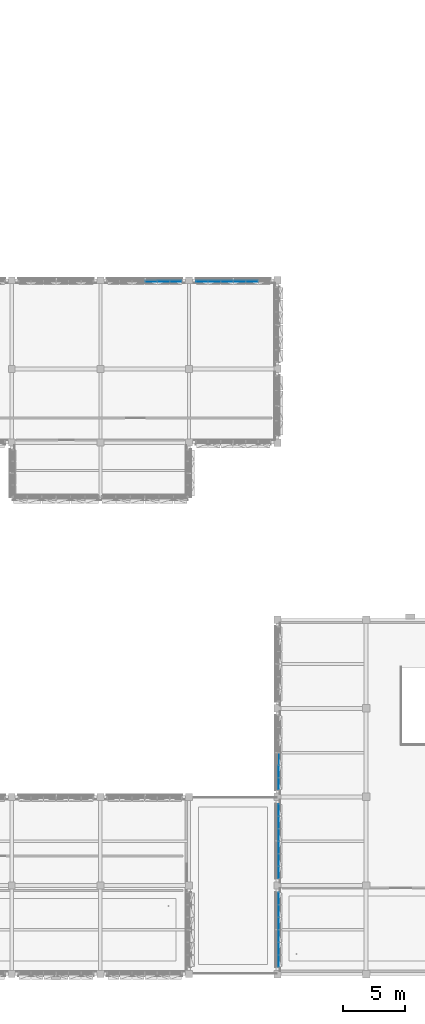
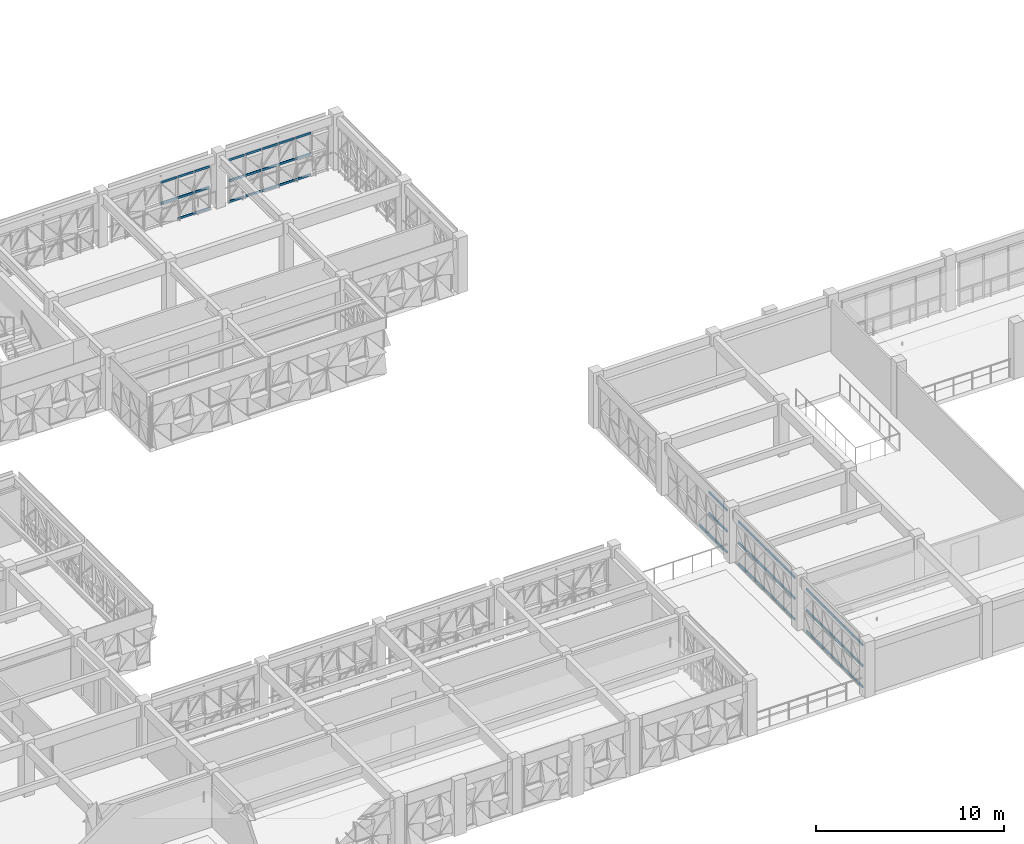
# One storey, part 27 of 85: 66 members, 5 elements without a shape of their own.
"""IFC4 building model written with IfcOpenShell, lengths in metres."""

from ifc_helpers import new_model, si_unit, direction, frame, origin, origin_2d, place, context, subcontext, project, spatial, rectangle, extrude, material, material_profile, profile_set, type_object, element, aggregate, save


model = new_model("IFC4")

# Units and contexts
model_context = context("Model", 3, precision=1e-05, world=origin(), true_north=direction((0.0, 1.0)))
body_context = subcontext(model_context, "Body", "Model", "MODEL_VIEW")
ifc_project = project(units=[si_unit("LENGTHUNIT", "METRE"), si_unit("AREAUNIT", "SQUARE_METRE"), si_unit("VOLUMEUNIT", "CUBIC_METRE"), si_unit("PLANEANGLEUNIT", "RADIAN"), si_unit("MASSUNIT", "GRAM", prefix="KILO")], contexts=[model_context])

# Site, building, storey
site_placement = place(None, origin())
site = spatial("IfcSite", under=ifc_project, at=site_placement, CompositionType="ELEMENT")
building_placement = place(site_placement, origin())
building = spatial("IfcBuilding", under=site, at=building_placement, Name="Alvorim Cloister Faculty of Sciences", CompositionType="ELEMENT")
storey_placement = place(building_placement, frame((0.0, 0.0, 8.550048828125)))
storey = spatial("IfcBuildingStorey", under=building, at=storey_placement, Name="L02", CompositionType="ELEMENT", Elevation=8.550048828125)

# Curtain wall, members
ifc_material_1 = material(Name="Aluminium and Low-E Glass Curtain Wall", Category="aluminium")
curtain_wall_type = type_object("IfcCurtainWallType", Name="CW-TRI-6120x2850", PredefinedType="USERDEFINED", material=ifc_material_1)
curtain_wall_1_placement = place(storey_placement, origin())
curtain_wall_1 = element("IfcCurtainWall", 1, at=curtain_wall_1_placement, inside=storey, type_object=curtain_wall_type, Name="L02 Diagonal Cassette Curtain Wall CW-0059", ObjectType="UNITISED CURTAIN WALL", PredefinedType="USERDEFINED")
ifc_material_2 = material(Name="Aluminium Alloy 6063-T6", Category="aluminium")
ifc_material_profile = material_profile(ifc_material_2, rectangle(XDim=0.06494140625, YDim=0.139892578125, at=origin_2d()), Name="ALU-TRN-65x140")
ifc_profile_set = profile_set([ifc_material_profile], Name="Aluminium Alloy 6063-T6")
member_type = type_object("IfcMemberType", Name="CW-TRN-65x140", PredefinedType="USERDEFINED", material=ifc_profile_set)
member_1_placement = place(storey_placement, frame((54.032470703125, 56.31005859375, 1.425048828125), z_axis=(1.0, 0.0, 0.0), x_axis=(0.0, 1.0, 0.0)))
member_1 = element("IfcMember", 2, at=member_1_placement, type_object=member_type, Name="CW-0059 Transom 4.2", ObjectType="TRANSOM", PredefinedType="USERDEFINED", context=body_context, shape_type="SweptSolid", body=[
    extrude(rectangle(XDim=0.06494140625, YDim=0.139892578125, at=origin_2d()), origin(), (0.0, 0.0, 1.0), 0.955078125),
])
member_2_placement = place(storey_placement, frame((54.032470703125, 56.31005859375, 2.780029296875), z_axis=(1.0, 0.0, 0.0), x_axis=(0.0, 1.0, 0.0)))
member_2 = element("IfcMember", 3, at=member_2_placement, type_object=member_type, Name="CW-0059 Transom 4.3", ObjectType="TRANSOM", PredefinedType="USERDEFINED", context=body_context, shape_type="SweptSolid", body=[
    extrude(rectangle(XDim=0.06494140625, YDim=0.139892578125, at=origin_2d()), origin(), (0.0, 0.0, 1.0), 0.955078125),
])
member_3_placement = place(storey_placement, frame((55.052490234375, 56.31005859375, 0.070068359375), z_axis=(1.0, 0.0, 0.0), x_axis=(0.0, 1.0, 0.0)))
member_3 = element("IfcMember", 4, at=member_3_placement, type_object=member_type, Name="CW-0059 Transom 5.1", ObjectType="TRANSOM", PredefinedType="USERDEFINED", context=body_context, shape_type="SweptSolid", body=[
    extrude(rectangle(XDim=0.06494140625, YDim=0.139892578125, at=origin_2d()), origin(), (0.0, 0.0, 1.0), 0.955078125),
])
member_4_placement = place(storey_placement, frame((55.052490234375, 56.31005859375, 1.425048828125), z_axis=(1.0, 0.0, 0.0), x_axis=(0.0, 1.0, 0.0)))
member_4 = element("IfcMember", 5, at=member_4_placement, type_object=member_type, Name="CW-0059 Transom 5.2", ObjectType="TRANSOM", PredefinedType="USERDEFINED", context=body_context, shape_type="SweptSolid", body=[
    extrude(rectangle(XDim=0.06494140625, YDim=0.139892578125, at=origin_2d()), origin(), (0.0, 0.0, 1.0), 0.955078125),
])
member_5_placement = place(storey_placement, frame((55.052490234375, 56.31005859375, 2.780029296875), z_axis=(1.0, 0.0, 0.0), x_axis=(0.0, 1.0, 0.0)))
member_5 = element("IfcMember", 6, at=member_5_placement, type_object=member_type, Name="CW-0059 Transom 5.3", ObjectType="TRANSOM", PredefinedType="USERDEFINED", context=body_context, shape_type="SweptSolid", body=[
    extrude(rectangle(XDim=0.06494140625, YDim=0.139892578125, at=origin_2d()), origin(), (0.0, 0.0, 1.0), 0.955078125),
])
member_6_placement = place(storey_placement, frame((56.072509765625, 56.31005859375, 0.070068359375), z_axis=(1.0, 0.0, 0.0), x_axis=(0.0, 1.0, 0.0)))
member_6 = element("IfcMember", 7, at=member_6_placement, type_object=member_type, Name="CW-0059 Transom 6.1", ObjectType="TRANSOM", PredefinedType="USERDEFINED", context=body_context, shape_type="SweptSolid", body=[
    extrude(rectangle(XDim=0.06494140625, YDim=0.139892578125, at=origin_2d()), origin(), (0.0, 0.0, 1.0), 0.922607421875),
])
member_7_placement = place(storey_placement, frame((56.072509765625, 56.31005859375, 1.425048828125), z_axis=(1.0, 0.0, 0.0), x_axis=(0.0, 1.0, 0.0)))
member_7 = element("IfcMember", 8, at=member_7_placement, type_object=member_type, Name="CW-0059 Transom 6.2", ObjectType="TRANSOM", PredefinedType="USERDEFINED", context=body_context, shape_type="SweptSolid", body=[
    extrude(rectangle(XDim=0.06494140625, YDim=0.139892578125, at=origin_2d()), origin(), (0.0, 0.0, 1.0), 0.922607421875),
])
member_8_placement = place(storey_placement, frame((56.072509765625, 56.31005859375, 2.780029296875), z_axis=(1.0, 0.0, 0.0), x_axis=(0.0, 1.0, 0.0)))
member_8 = element("IfcMember", 9, at=member_8_placement, type_object=member_type, Name="CW-0059 Transom 6.3", ObjectType="TRANSOM", PredefinedType="USERDEFINED", context=body_context, shape_type="SweptSolid", body=[
    extrude(rectangle(XDim=0.06494140625, YDim=0.139892578125, at=origin_2d()), origin(), (0.0, 0.0, 1.0), 0.922607421875),
])
aggregate(curtain_wall_1, [member_1, member_2, member_3, member_4, member_5, member_6, member_7, member_8])

curtain_wall_2_placement = place(storey_placement, origin())
curtain_wall_2 = element("IfcCurtainWall", 10, at=curtain_wall_2_placement, inside=storey, type_object=curtain_wall_type, Name="L02 Diagonal Cassette Curtain Wall CW-0060", ObjectType="UNITISED CURTAIN WALL", PredefinedType="USERDEFINED")
member_9_placement = place(storey_placement, frame((58.205078125, 56.31005859375, 0.070068359375), z_axis=(1.0, 0.0, 0.0), x_axis=(0.0, 1.0, 0.0)))
member_9 = element("IfcMember", 11, at=member_9_placement, type_object=member_type, Name="CW-0060 Transom 1.1", ObjectType="TRANSOM", PredefinedType="USERDEFINED", context=body_context, shape_type="SweptSolid", body=[
    extrude(rectangle(XDim=0.06494140625, YDim=0.139892578125, at=origin_2d()), origin(), (0.0, 0.0, 1.0), 0.92236328125),
])
member_10_placement = place(storey_placement, frame((58.205078125, 56.31005859375, 1.425048828125), z_axis=(1.0, 0.0, 0.0), x_axis=(0.0, 1.0, 0.0)))
member_10 = element("IfcMember", 12, at=member_10_placement, type_object=member_type, Name="CW-0060 Transom 1.2", ObjectType="TRANSOM", PredefinedType="USERDEFINED", context=body_context, shape_type="SweptSolid", body=[
    extrude(rectangle(XDim=0.06494140625, YDim=0.139892578125, at=origin_2d()), origin(), (0.0, 0.0, 1.0), 0.92236328125),
])
member_11_placement = place(storey_placement, frame((58.205078125, 56.31005859375, 2.780029296875), z_axis=(1.0, 0.0, 0.0), x_axis=(0.0, 1.0, 0.0)))
member_11 = element("IfcMember", 13, at=member_11_placement, type_object=member_type, Name="CW-0060 Transom 1.3", ObjectType="TRANSOM", PredefinedType="USERDEFINED", context=body_context, shape_type="SweptSolid", body=[
    extrude(rectangle(XDim=0.06494140625, YDim=0.139892578125, at=origin_2d()), origin(), (0.0, 0.0, 1.0), 0.92236328125),
])
member_12_placement = place(storey_placement, frame((59.1923828125, 56.31005859375, 0.070068359375), z_axis=(1.0, 0.0, 0.0), x_axis=(0.0, 1.0, 0.0)))
member_12 = element("IfcMember", 14, at=member_12_placement, type_object=member_type, Name="CW-0060 Transom 2.1", ObjectType="TRANSOM", PredefinedType="USERDEFINED", context=body_context, shape_type="SweptSolid", body=[
    extrude(rectangle(XDim=0.06494140625, YDim=0.139892578125, at=origin_2d()), origin(), (0.0, 0.0, 1.0), 0.955078125),
])
member_13_placement = place(storey_placement, frame((59.1923828125, 56.31005859375, 1.425048828125), z_axis=(1.0, 0.0, 0.0), x_axis=(0.0, 1.0, 0.0)))
member_13 = element("IfcMember", 15, at=member_13_placement, type_object=member_type, Name="CW-0060 Transom 2.2", ObjectType="TRANSOM", PredefinedType="USERDEFINED", context=body_context, shape_type="SweptSolid", body=[
    extrude(rectangle(XDim=0.06494140625, YDim=0.139892578125, at=origin_2d()), origin(), (0.0, 0.0, 1.0), 0.955078125),
])
member_14_placement = place(storey_placement, frame((59.1923828125, 56.31005859375, 2.780029296875), z_axis=(1.0, 0.0, 0.0), x_axis=(0.0, 1.0, 0.0)))
member_14 = element("IfcMember", 16, at=member_14_placement, type_object=member_type, Name="CW-0060 Transom 2.3", ObjectType="TRANSOM", PredefinedType="USERDEFINED", context=body_context, shape_type="SweptSolid", body=[
    extrude(rectangle(XDim=0.06494140625, YDim=0.139892578125, at=origin_2d()), origin(), (0.0, 0.0, 1.0), 0.955078125),
])
member_15_placement = place(storey_placement, frame((60.21240234375, 56.31005859375, 0.070068359375), z_axis=(1.0, 0.0, 0.0), x_axis=(0.0, 1.0, 0.0)))
member_15 = element("IfcMember", 17, at=member_15_placement, type_object=member_type, Name="CW-0060 Transom 3.1", ObjectType="TRANSOM", PredefinedType="USERDEFINED", context=body_context, shape_type="SweptSolid", body=[
    extrude(rectangle(XDim=0.06494140625, YDim=0.139892578125, at=origin_2d()), origin(), (0.0, 0.0, 1.0), 0.955078125),
])
member_16_placement = place(storey_placement, frame((60.21240234375, 56.31005859375, 1.425048828125), z_axis=(1.0, 0.0, 0.0), x_axis=(0.0, 1.0, 0.0)))
member_16 = element("IfcMember", 18, at=member_16_placement, type_object=member_type, Name="CW-0060 Transom 3.2", ObjectType="TRANSOM", PredefinedType="USERDEFINED", context=body_context, shape_type="SweptSolid", body=[
    extrude(rectangle(XDim=0.06494140625, YDim=0.139892578125, at=origin_2d()), origin(), (0.0, 0.0, 1.0), 0.955078125),
])
member_17_placement = place(storey_placement, frame((60.21240234375, 56.31005859375, 2.780029296875), z_axis=(1.0, 0.0, 0.0), x_axis=(0.0, 1.0, 0.0)))
member_17 = element("IfcMember", 19, at=member_17_placement, type_object=member_type, Name="CW-0060 Transom 3.3", ObjectType="TRANSOM", PredefinedType="USERDEFINED", context=body_context, shape_type="SweptSolid", body=[
    extrude(rectangle(XDim=0.06494140625, YDim=0.139892578125, at=origin_2d()), origin(), (0.0, 0.0, 1.0), 0.955078125),
])
member_18_placement = place(storey_placement, frame((61.232421875, 56.31005859375, 0.070068359375), z_axis=(1.0, 0.0, 0.0), x_axis=(0.0, 1.0, 0.0)))
member_18 = element("IfcMember", 20, at=member_18_placement, type_object=member_type, Name="CW-0060 Transom 4.1", ObjectType="TRANSOM", PredefinedType="USERDEFINED", context=body_context, shape_type="SweptSolid", body=[
    extrude(rectangle(XDim=0.06494140625, YDim=0.139892578125, at=origin_2d()), origin(), (0.0, 0.0, 1.0), 0.955078125),
])
member_19_placement = place(storey_placement, frame((61.232421875, 56.31005859375, 1.425048828125), z_axis=(1.0, 0.0, 0.0), x_axis=(0.0, 1.0, 0.0)))
member_19 = element("IfcMember", 21, at=member_19_placement, type_object=member_type, Name="CW-0060 Transom 4.2", ObjectType="TRANSOM", PredefinedType="USERDEFINED", context=body_context, shape_type="SweptSolid", body=[
    extrude(rectangle(XDim=0.06494140625, YDim=0.139892578125, at=origin_2d()), origin(), (0.0, 0.0, 1.0), 0.955078125),
])
member_20_placement = place(storey_placement, frame((61.232421875, 56.31005859375, 2.780029296875), z_axis=(1.0, 0.0, 0.0), x_axis=(0.0, 1.0, 0.0)))
member_20 = element("IfcMember", 22, at=member_20_placement, type_object=member_type, Name="CW-0060 Transom 4.3", ObjectType="TRANSOM", PredefinedType="USERDEFINED", context=body_context, shape_type="SweptSolid", body=[
    extrude(rectangle(XDim=0.06494140625, YDim=0.139892578125, at=origin_2d()), origin(), (0.0, 0.0, 1.0), 0.955078125),
])
member_21_placement = place(storey_placement, frame((62.25244140625, 56.31005859375, 0.070068359375), z_axis=(1.0, 0.0, 0.0), x_axis=(0.0, 1.0, 0.0)))
member_21 = element("IfcMember", 23, at=member_21_placement, type_object=member_type, Name="CW-0060 Transom 5.1", ObjectType="TRANSOM", PredefinedType="USERDEFINED", context=body_context, shape_type="SweptSolid", body=[
    extrude(rectangle(XDim=0.06494140625, YDim=0.139892578125, at=origin_2d()), origin(), (0.0, 0.0, 1.0), 0.955078125),
])
member_22_placement = place(storey_placement, frame((62.25244140625, 56.31005859375, 1.425048828125), z_axis=(1.0, 0.0, 0.0), x_axis=(0.0, 1.0, 0.0)))
member_22 = element("IfcMember", 24, at=member_22_placement, type_object=member_type, Name="CW-0060 Transom 5.2", ObjectType="TRANSOM", PredefinedType="USERDEFINED", context=body_context, shape_type="SweptSolid", body=[
    extrude(rectangle(XDim=0.06494140625, YDim=0.139892578125, at=origin_2d()), origin(), (0.0, 0.0, 1.0), 0.955078125),
])
member_23_placement = place(storey_placement, frame((62.25244140625, 56.31005859375, 2.780029296875), z_axis=(1.0, 0.0, 0.0), x_axis=(0.0, 1.0, 0.0)))
member_23 = element("IfcMember", 25, at=member_23_placement, type_object=member_type, Name="CW-0060 Transom 5.3", ObjectType="TRANSOM", PredefinedType="USERDEFINED", context=body_context, shape_type="SweptSolid", body=[
    extrude(rectangle(XDim=0.06494140625, YDim=0.139892578125, at=origin_2d()), origin(), (0.0, 0.0, 1.0), 0.955078125),
])
aggregate(curtain_wall_2, [member_9, member_10, member_11, member_12, member_13, member_14, member_15, member_16, member_17, member_18, member_19, member_20, member_21, member_22, member_23])

curtain_wall_3_placement = place(storey_placement, origin())
curtain_wall_3 = element("IfcCurtainWall", 26, at=curtain_wall_3_placement, inside=storey, type_object=curtain_wall_type, Name="L02 Diagonal Cassette Curtain Wall CW-0093", ObjectType="UNITISED CURTAIN WALL", PredefinedType="USERDEFINED")
member_24_placement = place(storey_placement, frame((64.889892578125, 0.60498046875, 0.070068359375), z_axis=(0.0, 1.0, 0.0), x_axis=(-1.0, 0.0, 0.0)))
member_24 = element("IfcMember", 27, at=member_24_placement, type_object=member_type, Name="CW-0093 Transom 1.1", ObjectType="TRANSOM", PredefinedType="USERDEFINED", context=body_context, shape_type="SweptSolid", body=[
    extrude(rectangle(XDim=0.06494140625, YDim=0.139892578125, at=origin_2d()), origin(), (0.0, 0.0, 1.0), 0.922607421875),
])
member_25_placement = place(storey_placement, frame((64.889892578125, 0.60498046875, 1.425048828125), z_axis=(0.0, 1.0, 0.0), x_axis=(-1.0, 0.0, 0.0)))
member_25 = element("IfcMember", 28, at=member_25_placement, type_object=member_type, Name="CW-0093 Transom 1.2", ObjectType="TRANSOM", PredefinedType="USERDEFINED", context=body_context, shape_type="SweptSolid", body=[
    extrude(rectangle(XDim=0.06494140625, YDim=0.139892578125, at=origin_2d()), origin(), (0.0, 0.0, 1.0), 0.922607421875),
])
member_26_placement = place(storey_placement, frame((64.889892578125, 0.60498046875, 2.780029296875), z_axis=(0.0, 1.0, 0.0), x_axis=(-1.0, 0.0, 0.0)))
member_26 = element("IfcMember", 29, at=member_26_placement, type_object=member_type, Name="CW-0093 Transom 1.3", ObjectType="TRANSOM", PredefinedType="USERDEFINED", context=body_context, shape_type="SweptSolid", body=[
    extrude(rectangle(XDim=0.06494140625, YDim=0.139892578125, at=origin_2d()), origin(), (0.0, 0.0, 1.0), 0.922607421875),
])
member_27_placement = place(storey_placement, frame((64.889892578125, 1.592529296875, 0.070068359375), z_axis=(0.0, 1.0, 0.0), x_axis=(-1.0, 0.0, 0.0)))
member_27 = element("IfcMember", 30, at=member_27_placement, type_object=member_type, Name="CW-0093 Transom 2.1", ObjectType="TRANSOM", PredefinedType="USERDEFINED", context=body_context, shape_type="SweptSolid", body=[
    extrude(rectangle(XDim=0.06494140625, YDim=0.139892578125, at=origin_2d()), origin(), (0.0, 0.0, 1.0), 0.955078125),
])
member_28_placement = place(storey_placement, frame((64.889892578125, 1.592529296875, 1.425048828125), z_axis=(0.0, 1.0, 0.0), x_axis=(-1.0, 0.0, 0.0)))
member_28 = element("IfcMember", 31, at=member_28_placement, type_object=member_type, Name="CW-0093 Transom 2.2", ObjectType="TRANSOM", PredefinedType="USERDEFINED", context=body_context, shape_type="SweptSolid", body=[
    extrude(rectangle(XDim=0.06494140625, YDim=0.139892578125, at=origin_2d()), origin(), (0.0, 0.0, 1.0), 0.955078125),
])
member_29_placement = place(storey_placement, frame((64.889892578125, 1.592529296875, 2.780029296875), z_axis=(0.0, 1.0, 0.0), x_axis=(-1.0, 0.0, 0.0)))
member_29 = element("IfcMember", 32, at=member_29_placement, type_object=member_type, Name="CW-0093 Transom 2.3", ObjectType="TRANSOM", PredefinedType="USERDEFINED", context=body_context, shape_type="SweptSolid", body=[
    extrude(rectangle(XDim=0.06494140625, YDim=0.139892578125, at=origin_2d()), origin(), (0.0, 0.0, 1.0), 0.955078125),
])
member_30_placement = place(storey_placement, frame((64.889892578125, 2.612548828125, 0.070068359375), z_axis=(0.0, 1.0, 0.0), x_axis=(-1.0, 0.0, 0.0)))
member_30 = element("IfcMember", 33, at=member_30_placement, type_object=member_type, Name="CW-0093 Transom 3.1", ObjectType="TRANSOM", PredefinedType="USERDEFINED", context=body_context, shape_type="SweptSolid", body=[
    extrude(rectangle(XDim=0.06494140625, YDim=0.139892578125, at=origin_2d()), origin(), (0.0, 0.0, 1.0), 0.954833984375),
])
member_31_placement = place(storey_placement, frame((64.889892578125, 2.612548828125, 1.425048828125), z_axis=(0.0, 1.0, 0.0), x_axis=(-1.0, 0.0, 0.0)))
member_31 = element("IfcMember", 34, at=member_31_placement, type_object=member_type, Name="CW-0093 Transom 3.2", ObjectType="TRANSOM", PredefinedType="USERDEFINED", context=body_context, shape_type="SweptSolid", body=[
    extrude(rectangle(XDim=0.06494140625, YDim=0.139892578125, at=origin_2d()), origin(), (0.0, 0.0, 1.0), 0.954833984375),
])
member_32_placement = place(storey_placement, frame((64.889892578125, 2.612548828125, 2.780029296875), z_axis=(0.0, 1.0, 0.0), x_axis=(-1.0, 0.0, 0.0)))
member_32 = element("IfcMember", 35, at=member_32_placement, type_object=member_type, Name="CW-0093 Transom 3.3", ObjectType="TRANSOM", PredefinedType="USERDEFINED", context=body_context, shape_type="SweptSolid", body=[
    extrude(rectangle(XDim=0.06494140625, YDim=0.139892578125, at=origin_2d()), origin(), (0.0, 0.0, 1.0), 0.954833984375),
])
member_33_placement = place(storey_placement, frame((64.889892578125, 3.632568359375, 0.070068359375), z_axis=(0.0, 1.0, 0.0), x_axis=(-1.0, 0.0, 0.0)))
member_33 = element("IfcMember", 36, at=member_33_placement, type_object=member_type, Name="CW-0093 Transom 4.1", ObjectType="TRANSOM", PredefinedType="USERDEFINED", context=body_context, shape_type="SweptSolid", body=[
    extrude(rectangle(XDim=0.06494140625, YDim=0.139892578125, at=origin_2d()), origin(), (0.0, 0.0, 1.0), 0.954833984375),
])
member_34_placement = place(storey_placement, frame((64.889892578125, 3.632568359375, 1.425048828125), z_axis=(0.0, 1.0, 0.0), x_axis=(-1.0, 0.0, 0.0)))
member_34 = element("IfcMember", 37, at=member_34_placement, type_object=member_type, Name="CW-0093 Transom 4.2", ObjectType="TRANSOM", PredefinedType="USERDEFINED", context=body_context, shape_type="SweptSolid", body=[
    extrude(rectangle(XDim=0.06494140625, YDim=0.139892578125, at=origin_2d()), origin(), (0.0, 0.0, 1.0), 0.954833984375),
])
member_35_placement = place(storey_placement, frame((64.889892578125, 3.632568359375, 2.780029296875), z_axis=(0.0, 1.0, 0.0), x_axis=(-1.0, 0.0, 0.0)))
member_35 = element("IfcMember", 38, at=member_35_placement, type_object=member_type, Name="CW-0093 Transom 4.3", ObjectType="TRANSOM", PredefinedType="USERDEFINED", context=body_context, shape_type="SweptSolid", body=[
    extrude(rectangle(XDim=0.06494140625, YDim=0.139892578125, at=origin_2d()), origin(), (0.0, 0.0, 1.0), 0.954833984375),
])
member_36_placement = place(storey_placement, frame((64.889892578125, 4.652587890625, 0.070068359375), z_axis=(0.0, 1.0, 0.0), x_axis=(-1.0, 0.0, 0.0)))
member_36 = element("IfcMember", 39, at=member_36_placement, type_object=member_type, Name="CW-0093 Transom 5.1", ObjectType="TRANSOM", PredefinedType="USERDEFINED", context=body_context, shape_type="SweptSolid", body=[
    extrude(rectangle(XDim=0.06494140625, YDim=0.139892578125, at=origin_2d()), origin(), (0.0, 0.0, 1.0), 0.954833984375),
])
member_37_placement = place(storey_placement, frame((64.889892578125, 4.652587890625, 1.425048828125), z_axis=(0.0, 1.0, 0.0), x_axis=(-1.0, 0.0, 0.0)))
member_37 = element("IfcMember", 40, at=member_37_placement, type_object=member_type, Name="CW-0093 Transom 5.2", ObjectType="TRANSOM", PredefinedType="USERDEFINED", context=body_context, shape_type="SweptSolid", body=[
    extrude(rectangle(XDim=0.06494140625, YDim=0.139892578125, at=origin_2d()), origin(), (0.0, 0.0, 1.0), 0.954833984375),
])
member_38_placement = place(storey_placement, frame((64.889892578125, 4.652587890625, 2.780029296875), z_axis=(0.0, 1.0, 0.0), x_axis=(-1.0, 0.0, 0.0)))
member_38 = element("IfcMember", 41, at=member_38_placement, type_object=member_type, Name="CW-0093 Transom 5.3", ObjectType="TRANSOM", PredefinedType="USERDEFINED", context=body_context, shape_type="SweptSolid", body=[
    extrude(rectangle(XDim=0.06494140625, YDim=0.139892578125, at=origin_2d()), origin(), (0.0, 0.0, 1.0), 0.954833984375),
])
member_39_placement = place(storey_placement, frame((64.889892578125, 5.672607421875, 0.070068359375), z_axis=(0.0, 1.0, 0.0), x_axis=(-1.0, 0.0, 0.0)))
member_39 = element("IfcMember", 42, at=member_39_placement, type_object=member_type, Name="CW-0093 Transom 6.1", ObjectType="TRANSOM", PredefinedType="USERDEFINED", context=body_context, shape_type="SweptSolid", body=[
    extrude(rectangle(XDim=0.06494140625, YDim=0.139892578125, at=origin_2d()), origin(), (0.0, 0.0, 1.0), 0.92236328125),
])
member_40_placement = place(storey_placement, frame((64.889892578125, 5.672607421875, 1.425048828125), z_axis=(0.0, 1.0, 0.0), x_axis=(-1.0, 0.0, 0.0)))
member_40 = element("IfcMember", 43, at=member_40_placement, type_object=member_type, Name="CW-0093 Transom 6.2", ObjectType="TRANSOM", PredefinedType="USERDEFINED", context=body_context, shape_type="SweptSolid", body=[
    extrude(rectangle(XDim=0.06494140625, YDim=0.139892578125, at=origin_2d()), origin(), (0.0, 0.0, 1.0), 0.92236328125),
])
member_41_placement = place(storey_placement, frame((64.889892578125, 5.672607421875, 2.780029296875), z_axis=(0.0, 1.0, 0.0), x_axis=(-1.0, 0.0, 0.0)))
member_41 = element("IfcMember", 44, at=member_41_placement, type_object=member_type, Name="CW-0093 Transom 6.3", ObjectType="TRANSOM", PredefinedType="USERDEFINED", context=body_context, shape_type="SweptSolid", body=[
    extrude(rectangle(XDim=0.06494140625, YDim=0.139892578125, at=origin_2d()), origin(), (0.0, 0.0, 1.0), 0.92236328125),
])
aggregate(curtain_wall_3, [member_24, member_25, member_26, member_27, member_28, member_29, member_30, member_31, member_32, member_33, member_34, member_35, member_36, member_37, member_38, member_39, member_40, member_41])

curtain_wall_4_placement = place(storey_placement, origin())
curtain_wall_4 = element("IfcCurtainWall", 45, at=curtain_wall_4_placement, inside=storey, type_object=curtain_wall_type, Name="L02 Diagonal Cassette Curtain Wall CW-0094", ObjectType="UNITISED CURTAIN WALL", PredefinedType="USERDEFINED")
member_42_placement = place(storey_placement, frame((64.889892578125, 7.804931640625, 0.070068359375), z_axis=(0.0, 1.0, 0.0), x_axis=(-1.0, 0.0, 0.0)))
member_42 = element("IfcMember", 46, at=member_42_placement, type_object=member_type, Name="CW-0094 Transom 1.1", ObjectType="TRANSOM", PredefinedType="USERDEFINED", context=body_context, shape_type="SweptSolid", body=[
    extrude(rectangle(XDim=0.06494140625, YDim=0.139892578125, at=origin_2d()), origin(), (0.0, 0.0, 1.0), 0.922607421875),
])
member_43_placement = place(storey_placement, frame((64.889892578125, 7.804931640625, 1.425048828125), z_axis=(0.0, 1.0, 0.0), x_axis=(-1.0, 0.0, 0.0)))
member_43 = element("IfcMember", 47, at=member_43_placement, type_object=member_type, Name="CW-0094 Transom 1.2", ObjectType="TRANSOM", PredefinedType="USERDEFINED", context=body_context, shape_type="SweptSolid", body=[
    extrude(rectangle(XDim=0.06494140625, YDim=0.139892578125, at=origin_2d()), origin(), (0.0, 0.0, 1.0), 0.922607421875),
])
member_44_placement = place(storey_placement, frame((64.889892578125, 7.804931640625, 2.780029296875), z_axis=(0.0, 1.0, 0.0), x_axis=(-1.0, 0.0, 0.0)))
member_44 = element("IfcMember", 48, at=member_44_placement, type_object=member_type, Name="CW-0094 Transom 1.3", ObjectType="TRANSOM", PredefinedType="USERDEFINED", context=body_context, shape_type="SweptSolid", body=[
    extrude(rectangle(XDim=0.06494140625, YDim=0.139892578125, at=origin_2d()), origin(), (0.0, 0.0, 1.0), 0.922607421875),
])
member_45_placement = place(storey_placement, frame((64.889892578125, 8.79248046875, 0.070068359375), z_axis=(0.0, 1.0, 0.0), x_axis=(-1.0, 0.0, 0.0)))
member_45 = element("IfcMember", 49, at=member_45_placement, type_object=member_type, Name="CW-0094 Transom 2.1", ObjectType="TRANSOM", PredefinedType="USERDEFINED", context=body_context, shape_type="SweptSolid", body=[
    extrude(rectangle(XDim=0.06494140625, YDim=0.139892578125, at=origin_2d()), origin(), (0.0, 0.0, 1.0), 0.955078125),
])
member_46_placement = place(storey_placement, frame((64.889892578125, 8.79248046875, 1.425048828125), z_axis=(0.0, 1.0, 0.0), x_axis=(-1.0, 0.0, 0.0)))
member_46 = element("IfcMember", 50, at=member_46_placement, type_object=member_type, Name="CW-0094 Transom 2.2", ObjectType="TRANSOM", PredefinedType="USERDEFINED", context=body_context, shape_type="SweptSolid", body=[
    extrude(rectangle(XDim=0.06494140625, YDim=0.139892578125, at=origin_2d()), origin(), (0.0, 0.0, 1.0), 0.955078125),
])
member_47_placement = place(storey_placement, frame((64.889892578125, 8.79248046875, 2.780029296875), z_axis=(0.0, 1.0, 0.0), x_axis=(-1.0, 0.0, 0.0)))
member_47 = element("IfcMember", 51, at=member_47_placement, type_object=member_type, Name="CW-0094 Transom 2.3", ObjectType="TRANSOM", PredefinedType="USERDEFINED", context=body_context, shape_type="SweptSolid", body=[
    extrude(rectangle(XDim=0.06494140625, YDim=0.139892578125, at=origin_2d()), origin(), (0.0, 0.0, 1.0), 0.955078125),
])
member_48_placement = place(storey_placement, frame((64.889892578125, 9.8125, 0.070068359375), z_axis=(0.0, 1.0, 0.0), x_axis=(-1.0, 0.0, 0.0)))
member_48 = element("IfcMember", 52, at=member_48_placement, type_object=member_type, Name="CW-0094 Transom 3.1", ObjectType="TRANSOM", PredefinedType="USERDEFINED", context=body_context, shape_type="SweptSolid", body=[
    extrude(rectangle(XDim=0.06494140625, YDim=0.139892578125, at=origin_2d()), origin(), (0.0, 0.0, 1.0), 0.955078125),
])
member_49_placement = place(storey_placement, frame((64.889892578125, 9.8125, 1.425048828125), z_axis=(0.0, 1.0, 0.0), x_axis=(-1.0, 0.0, 0.0)))
member_49 = element("IfcMember", 53, at=member_49_placement, type_object=member_type, Name="CW-0094 Transom 3.2", ObjectType="TRANSOM", PredefinedType="USERDEFINED", context=body_context, shape_type="SweptSolid", body=[
    extrude(rectangle(XDim=0.06494140625, YDim=0.139892578125, at=origin_2d()), origin(), (0.0, 0.0, 1.0), 0.955078125),
])
member_50_placement = place(storey_placement, frame((64.889892578125, 9.8125, 2.780029296875), z_axis=(0.0, 1.0, 0.0), x_axis=(-1.0, 0.0, 0.0)))
member_50 = element("IfcMember", 54, at=member_50_placement, type_object=member_type, Name="CW-0094 Transom 3.3", ObjectType="TRANSOM", PredefinedType="USERDEFINED", context=body_context, shape_type="SweptSolid", body=[
    extrude(rectangle(XDim=0.06494140625, YDim=0.139892578125, at=origin_2d()), origin(), (0.0, 0.0, 1.0), 0.955078125),
])
member_51_placement = place(storey_placement, frame((64.889892578125, 10.83251953125, 0.070068359375), z_axis=(0.0, 1.0, 0.0), x_axis=(-1.0, 0.0, 0.0)))
member_51 = element("IfcMember", 55, at=member_51_placement, type_object=member_type, Name="CW-0094 Transom 4.1", ObjectType="TRANSOM", PredefinedType="USERDEFINED", context=body_context, shape_type="SweptSolid", body=[
    extrude(rectangle(XDim=0.06494140625, YDim=0.139892578125, at=origin_2d()), origin(), (0.0, 0.0, 1.0), 0.955078125),
])
member_52_placement = place(storey_placement, frame((64.889892578125, 10.83251953125, 1.425048828125), z_axis=(0.0, 1.0, 0.0), x_axis=(-1.0, 0.0, 0.0)))
member_52 = element("IfcMember", 56, at=member_52_placement, type_object=member_type, Name="CW-0094 Transom 4.2", ObjectType="TRANSOM", PredefinedType="USERDEFINED", context=body_context, shape_type="SweptSolid", body=[
    extrude(rectangle(XDim=0.06494140625, YDim=0.139892578125, at=origin_2d()), origin(), (0.0, 0.0, 1.0), 0.955078125),
])
member_53_placement = place(storey_placement, frame((64.889892578125, 10.83251953125, 2.780029296875), z_axis=(0.0, 1.0, 0.0), x_axis=(-1.0, 0.0, 0.0)))
member_53 = element("IfcMember", 57, at=member_53_placement, type_object=member_type, Name="CW-0094 Transom 4.3", ObjectType="TRANSOM", PredefinedType="USERDEFINED", context=body_context, shape_type="SweptSolid", body=[
    extrude(rectangle(XDim=0.06494140625, YDim=0.139892578125, at=origin_2d()), origin(), (0.0, 0.0, 1.0), 0.955078125),
])
member_54_placement = place(storey_placement, frame((64.889892578125, 11.8525390625, 0.070068359375), z_axis=(0.0, 1.0, 0.0), x_axis=(-1.0, 0.0, 0.0)))
member_54 = element("IfcMember", 58, at=member_54_placement, type_object=member_type, Name="CW-0094 Transom 5.1", ObjectType="TRANSOM", PredefinedType="USERDEFINED", context=body_context, shape_type="SweptSolid", body=[
    extrude(rectangle(XDim=0.06494140625, YDim=0.139892578125, at=origin_2d()), origin(), (0.0, 0.0, 1.0), 0.955078125),
])
member_55_placement = place(storey_placement, frame((64.889892578125, 11.8525390625, 1.425048828125), z_axis=(0.0, 1.0, 0.0), x_axis=(-1.0, 0.0, 0.0)))
member_55 = element("IfcMember", 59, at=member_55_placement, type_object=member_type, Name="CW-0094 Transom 5.2", ObjectType="TRANSOM", PredefinedType="USERDEFINED", context=body_context, shape_type="SweptSolid", body=[
    extrude(rectangle(XDim=0.06494140625, YDim=0.139892578125, at=origin_2d()), origin(), (0.0, 0.0, 1.0), 0.955078125),
])
member_56_placement = place(storey_placement, frame((64.889892578125, 11.8525390625, 2.780029296875), z_axis=(0.0, 1.0, 0.0), x_axis=(-1.0, 0.0, 0.0)))
member_56 = element("IfcMember", 60, at=member_56_placement, type_object=member_type, Name="CW-0094 Transom 5.3", ObjectType="TRANSOM", PredefinedType="USERDEFINED", context=body_context, shape_type="SweptSolid", body=[
    extrude(rectangle(XDim=0.06494140625, YDim=0.139892578125, at=origin_2d()), origin(), (0.0, 0.0, 1.0), 0.955078125),
])
member_57_placement = place(storey_placement, frame((64.889892578125, 12.87255859375, 0.070068359375), z_axis=(0.0, 1.0, 0.0), x_axis=(-1.0, 0.0, 0.0)))
member_57 = element("IfcMember", 61, at=member_57_placement, type_object=member_type, Name="CW-0094 Transom 6.1", ObjectType="TRANSOM", PredefinedType="USERDEFINED", context=body_context, shape_type="SweptSolid", body=[
    extrude(rectangle(XDim=0.06494140625, YDim=0.139892578125, at=origin_2d()), origin(), (0.0, 0.0, 1.0), 0.92236328125),
])
member_58_placement = place(storey_placement, frame((64.889892578125, 12.87255859375, 1.425048828125), z_axis=(0.0, 1.0, 0.0), x_axis=(-1.0, 0.0, 0.0)))
member_58 = element("IfcMember", 62, at=member_58_placement, type_object=member_type, Name="CW-0094 Transom 6.2", ObjectType="TRANSOM", PredefinedType="USERDEFINED", context=body_context, shape_type="SweptSolid", body=[
    extrude(rectangle(XDim=0.06494140625, YDim=0.139892578125, at=origin_2d()), origin(), (0.0, 0.0, 1.0), 0.92236328125),
])
member_59_placement = place(storey_placement, frame((64.889892578125, 12.87255859375, 2.780029296875), z_axis=(0.0, 1.0, 0.0), x_axis=(-1.0, 0.0, 0.0)))
member_59 = element("IfcMember", 63, at=member_59_placement, type_object=member_type, Name="CW-0094 Transom 6.3", ObjectType="TRANSOM", PredefinedType="USERDEFINED", context=body_context, shape_type="SweptSolid", body=[
    extrude(rectangle(XDim=0.06494140625, YDim=0.139892578125, at=origin_2d()), origin(), (0.0, 0.0, 1.0), 0.92236328125),
])
aggregate(curtain_wall_4, [member_42, member_43, member_44, member_45, member_46, member_47, member_48, member_49, member_50, member_51, member_52, member_53, member_54, member_55, member_56, member_57, member_58, member_59])

curtain_wall_5_placement = place(storey_placement, origin())
curtain_wall_5 = element("IfcCurtainWall", 64, at=curtain_wall_5_placement, inside=storey, type_object=curtain_wall_type, Name="L02 Diagonal Cassette Curtain Wall CW-0095", ObjectType="UNITISED CURTAIN WALL", PredefinedType="USERDEFINED")
member_60_placement = place(storey_placement, frame((64.889892578125, 15.0048828125, 0.070068359375), z_axis=(0.0, 1.0, 0.0), x_axis=(-1.0, 0.0, 0.0)))
member_60 = element("IfcMember", 65, at=member_60_placement, type_object=member_type, Name="CW-0095 Transom 1.1", ObjectType="TRANSOM", PredefinedType="USERDEFINED", context=body_context, shape_type="SweptSolid", body=[
    extrude(rectangle(XDim=0.06494140625, YDim=0.139892578125, at=origin_2d()), origin(), (0.0, 0.0, 1.0), 0.922607421875),
])
member_61_placement = place(storey_placement, frame((64.889892578125, 15.0048828125, 1.425048828125), z_axis=(0.0, 1.0, 0.0), x_axis=(-1.0, 0.0, 0.0)))
member_61 = element("IfcMember", 66, at=member_61_placement, type_object=member_type, Name="CW-0095 Transom 1.2", ObjectType="TRANSOM", PredefinedType="USERDEFINED", context=body_context, shape_type="SweptSolid", body=[
    extrude(rectangle(XDim=0.06494140625, YDim=0.139892578125, at=origin_2d()), origin(), (0.0, 0.0, 1.0), 0.922607421875),
])
member_62_placement = place(storey_placement, frame((64.889892578125, 15.0048828125, 2.780029296875), z_axis=(0.0, 1.0, 0.0), x_axis=(-1.0, 0.0, 0.0)))
member_62 = element("IfcMember", 67, at=member_62_placement, type_object=member_type, Name="CW-0095 Transom 1.3", ObjectType="TRANSOM", PredefinedType="USERDEFINED", context=body_context, shape_type="SweptSolid", body=[
    extrude(rectangle(XDim=0.06494140625, YDim=0.139892578125, at=origin_2d()), origin(), (0.0, 0.0, 1.0), 0.922607421875),
])
member_63_placement = place(storey_placement, frame((64.889892578125, 15.992431640625, 0.070068359375), z_axis=(0.0, 1.0, 0.0), x_axis=(-1.0, 0.0, 0.0)))
member_63 = element("IfcMember", 68, at=member_63_placement, type_object=member_type, Name="CW-0095 Transom 2.1", ObjectType="TRANSOM", PredefinedType="USERDEFINED", context=body_context, shape_type="SweptSolid", body=[
    extrude(rectangle(XDim=0.06494140625, YDim=0.139892578125, at=origin_2d()), origin(), (0.0, 0.0, 1.0), 0.955078125),
])
member_64_placement = place(storey_placement, frame((64.889892578125, 15.992431640625, 1.425048828125), z_axis=(0.0, 1.0, 0.0), x_axis=(-1.0, 0.0, 0.0)))
member_64 = element("IfcMember", 69, at=member_64_placement, type_object=member_type, Name="CW-0095 Transom 2.2", ObjectType="TRANSOM", PredefinedType="USERDEFINED", context=body_context, shape_type="SweptSolid", body=[
    extrude(rectangle(XDim=0.06494140625, YDim=0.139892578125, at=origin_2d()), origin(), (0.0, 0.0, 1.0), 0.955078125),
])
member_65_placement = place(storey_placement, frame((64.889892578125, 15.992431640625, 2.780029296875), z_axis=(0.0, 1.0, 0.0), x_axis=(-1.0, 0.0, 0.0)))
member_65 = element("IfcMember", 70, at=member_65_placement, type_object=member_type, Name="CW-0095 Transom 2.3", ObjectType="TRANSOM", PredefinedType="USERDEFINED", context=body_context, shape_type="SweptSolid", body=[
    extrude(rectangle(XDim=0.06494140625, YDim=0.139892578125, at=origin_2d()), origin(), (0.0, 0.0, 1.0), 0.955078125),
])
member_66_placement = place(storey_placement, frame((64.889892578125, 17.012451171875, 0.070068359375), z_axis=(0.0, 1.0, 0.0), x_axis=(-1.0, 0.0, 0.0)))
member_66 = element("IfcMember", 71, at=member_66_placement, type_object=member_type, Name="CW-0095 Transom 3.1", ObjectType="TRANSOM", PredefinedType="USERDEFINED", context=body_context, shape_type="SweptSolid", body=[
    extrude(rectangle(XDim=0.06494140625, YDim=0.139892578125, at=origin_2d()), origin(), (0.0, 0.0, 1.0), 0.955078125),
])
aggregate(curtain_wall_5, [member_60, member_61, member_62, member_63, member_64, member_65, member_66])

save(model, "model.ifc")
